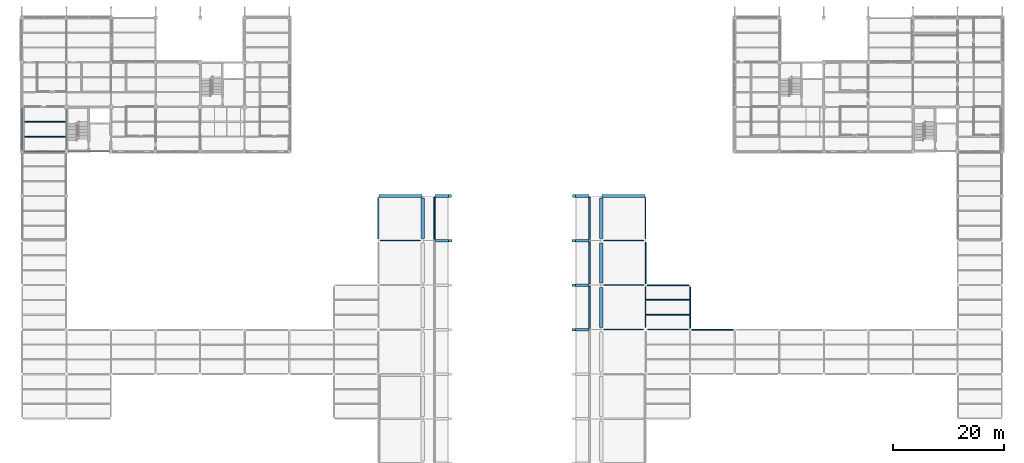
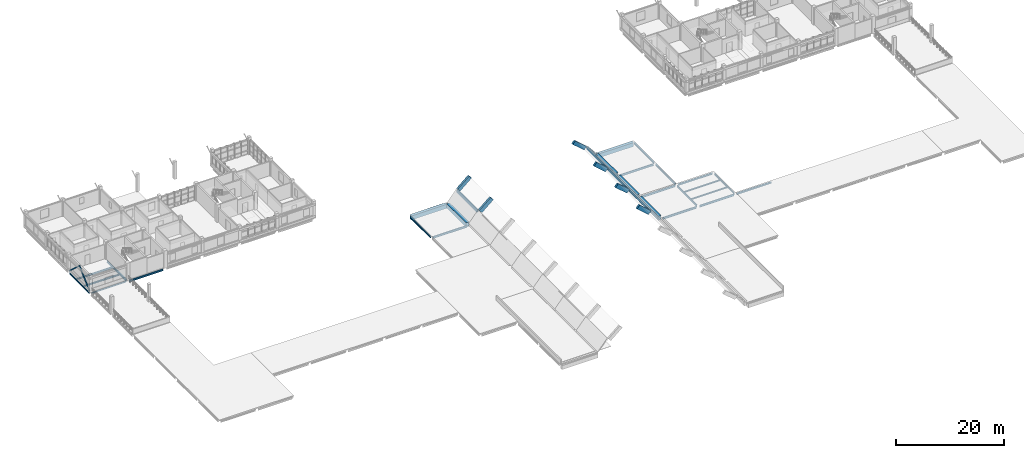
# One storey, part 3 of 35: 36 beams, 2 members.
"""IFC4 building model written with IfcOpenShell, lengths in metres."""

from ifc_helpers import new_model, si_unit, derived_unit, direction, frame, origin, origin_2d, place, context, subcontext, project, spatial, rectangle, hollow_rectangle, i_section, extrude, material, material_profile, profile_set, type_object, element, save


model = new_model("IFC4")

# Units and contexts
model_context = context("Model", 3, precision=1e-05, world=origin(), true_north=direction((0.0, 1.0)))
body_context = subcontext(model_context, "Body", "Model", "MODEL_VIEW")
ifc_project = project(units=[si_unit("LENGTHUNIT", "METRE"), si_unit("AREAUNIT", "SQUARE_METRE"), si_unit("VOLUMEUNIT", "CUBIC_METRE"), si_unit("PLANEANGLEUNIT", "RADIAN"), si_unit("MASSUNIT", "GRAM", prefix="KILO"), derived_unit("THERMALTRANSMITTANCEUNIT", [(si_unit("MASSUNIT", "GRAM", prefix="KILO"), 1), (si_unit("TIMEUNIT", "SECOND"), -3), (si_unit("THERMODYNAMICTEMPERATUREUNIT", "KELVIN"), -1)])], contexts=[model_context])

# Site, building, storey
site_placement = place(None, origin())
site = spatial("IfcSite", under=ifc_project, at=site_placement, CompositionType="ELEMENT")
building_placement = place(site_placement, origin())
building = spatial("IfcBuilding", under=site, at=building_placement, Name="Veyamyaing Civic Hall", CompositionType="ELEMENT")
storey_placement = place(building_placement, frame((0.0, 0.0, 21.780029296875)))
storey = spatial("IfcBuildingStorey", under=building, at=storey_placement, Name="L05", CompositionType="ELEMENT", Elevation=21.780029296875)

# Beams
ifc_material_1 = material(Name="Steel ASTM A992", Category="steel")
ifc_material_profile_1 = material_profile(ifc_material_1, i_section(OverallWidth=0.19189453125, OverallDepth=0.462890625, WebThickness=0.010498046875, FlangeThickness=0.017578125, FilletRadius=0.010009765625, at=origin_2d()), Name="W460X89")
ifc_profile_set_1 = profile_set([ifc_material_profile_1], Name="Steel ASTM A992")
beam_type_1 = type_object("IfcBeamType", Name="B-08", PredefinedType="BEAM", material=ifc_profile_set_1)
beam_1_placement = place(storey_placement, frame((104.39990234375, 56.0, -0.4814453125), z_axis=(1.0, 0.0, 0.0), x_axis=(0.0, 1.0, 0.0)))
element("IfcBeam", 1, at=beam_1_placement, inside=storey, type_object=beam_type_1, Name="Girder B-08 L05 Grid H 14-15", PredefinedType="BEAM", context=body_context, shape_type="SweptSolid", body=[
    extrude(i_section(OverallWidth=0.19189453125, OverallDepth=0.462890625, WebThickness=0.010498046875, FlangeThickness=0.017578125, FilletRadius=0.010009765625, at=origin_2d()), origin(), (0.0, 0.0, 1.0), 7.25),
])
beam_2_placement = place(storey_placement, frame((8.0, 88.35009765625, -0.45654296875), z_axis=(0.0, 1.0, 0.0), x_axis=(-1.0, 0.0, 0.0)))
element("IfcBeam", 2, at=beam_2_placement, inside=storey, type_object=beam_type_1, Name="Girder B-08 L05 Grid 2 M-N", PredefinedType="BEAM", context=body_context, shape_type="SweptSolid", body=[
    extrude(i_section(OverallWidth=0.19189453125, OverallDepth=0.462890625, WebThickness=0.010498046875, FlangeThickness=0.017578125, FilletRadius=0.010009765625, at=origin_2d()), origin(), (0.0, 0.0, 1.0), 7.2998046875),
])
beam_3_placement = place(storey_placement, frame((112.0, 56.35009765625, -0.4814453125), z_axis=(0.0, 1.0, 0.0), x_axis=(-1.0, 0.0, 0.0)))
element("IfcBeam", 3, at=beam_3_placement, inside=storey, type_object=beam_type_1, Name="Girder B-08 L05 Grid 15 H-J", PredefinedType="BEAM", context=body_context, shape_type="SweptSolid", body=[
    extrude(i_section(OverallWidth=0.19189453125, OverallDepth=0.462890625, WebThickness=0.010498046875, FlangeThickness=0.017578125, FilletRadius=0.010009765625, at=origin_2d()), origin(), (0.0, 0.0, 1.0), 7.375),
])
ifc_material_profile_2 = material_profile(ifc_material_1, i_section(OverallWidth=0.18994140625, OverallDepth=0.45703125, WebThickness=0.009033203125, FlangeThickness=0.014404296875, FilletRadius=0.010009765625, at=origin_2d()), Name="W460X74")
ifc_profile_set_2 = profile_set([ifc_material_profile_2], Name="Steel ASTM A992")
beam_type_2 = type_object("IfcBeamType", Name="B-09", PredefinedType="BEAM", material=ifc_profile_set_2)
beam_4_placement = place(storey_placement, frame((112.35009765625, 56.0, -0.478515625), z_axis=(1.0, 0.0, 0.0), x_axis=(0.0, 1.0, 0.0)))
element("IfcBeam", 4, at=beam_4_placement, inside=storey, type_object=beam_type_2, Name="Girder B-09 L05 Grid H 15-16", PredefinedType="BEAM", context=body_context, shape_type="SweptSolid", body=[
    extrude(i_section(OverallWidth=0.18994140625, OverallDepth=0.45703125, WebThickness=0.009033203125, FlangeThickness=0.014404296875, FilletRadius=0.010009765625, at=origin_2d()), origin(), (0.0, 0.0, 1.0), 7.375),
])
for number, where, z_axis, x_axis, name in (
    (5, (104.39990234375, 64.0, -0.478515625), (1.0, 0.0, 0.0), (0.0, 1.0, 0.0), "Girder B-09 L05 Grid J 14-15"),
    (6, (64.27490234375, 72.0, -0.478515625), (1.0, 0.0, 0.0), (0.0, 1.0, 0.0), "Girder B-09 L05 Grid K 9-10"),
):
    element("IfcBeam", number, at=place(storey_placement, frame(where, z_axis=z_axis, x_axis=x_axis)), inside=storey, type_object=beam_type_2, Name=name, PredefinedType="BEAM", context=body_context, shape_type="SweptSolid", body=[
        extrude(i_section(OverallWidth=0.18994140625, OverallDepth=0.45703125, WebThickness=0.009033203125, FlangeThickness=0.014404296875, FilletRadius=0.010009765625, at=origin_2d()), origin(), (0.0, 0.0, 1.0), 7.3251953125),
    ])
ifc_material_profile_3 = material_profile(ifc_material_1, i_section(OverallWidth=0.179931640625, OverallDepth=0.4130859375, WebThickness=0.009765625, FlangeThickness=0.01611328125, FilletRadius=0.010009765625, at=origin_2d()), Name="W410X74")
ifc_profile_set_3 = profile_set([ifc_material_profile_3], Name="Steel ASTM A992")
beam_type_3 = type_object("IfcBeamType", Name="B-10", PredefinedType="SPANDREL", material=ifc_profile_set_3)
for number, where, z_axis, x_axis, name in (
    (7, (120.27490234375, 56.0, -0.45654296875), (1.0, 0.0, 0.0), (0.0, 1.0, 0.0), "Girder B-10 L05 Grid H 16-17"),
    (8, (112.27490234375, 64.0, -0.45654296875), (1.0, 0.0, 0.0), (0.0, 1.0, 0.0), "Girder B-10 L05 Grid J 15-16"),
    (9, (112.0, 64.27490234375, -0.45654296875), (0.0, 1.0, 0.0), (-1.0, 0.0, 0.0), "Girder B-10 L05 Grid 15 J-K"),
    (10, (120.0, 56.27490234375, -0.45654296875), (0.0, 1.0, 0.0), (-1.0, 0.0, 0.0), "Girder B-10 L05 Grid 16 H-J"),
):
    element("IfcBeam", number, at=place(storey_placement, frame(where, z_axis=z_axis, x_axis=x_axis)), inside=storey, type_object=beam_type_3, Name=name, PredefinedType="SPANDREL", context=body_context, shape_type="SweptSolid", body=[
        extrude(i_section(OverallWidth=0.179931640625, OverallDepth=0.4130859375, WebThickness=0.009765625, FlangeThickness=0.01611328125, FilletRadius=0.010009765625, at=origin_2d()), origin(), (0.0, 0.0, 1.0), 7.4501953125),
    ])
ifc_material_profile_4 = material_profile(ifc_material_1, i_section(OverallWidth=0.2041015625, OverallDepth=0.35009765625, WebThickness=0.0078125, FlangeThickness=0.01513671875, FilletRadius=0.010009765625, at=origin_2d()), Name="W360X72")
ifc_profile_set_4 = profile_set([ifc_material_profile_4], Name="Steel ASTM A992")
beam_type_4 = type_object("IfcBeamType", Name="B-11", PredefinedType="SPANDREL", material=ifc_profile_set_4)
beam_5_placement = place(storey_placement, frame((0.0, 88.324951171875, -0.400146484375), z_axis=(0.0, 1.0, 0.0), x_axis=(-1.0, 0.0, 0.0)))
element("IfcBeam", 11, at=beam_5_placement, inside=storey, type_object=beam_type_4, Name="Girder B-11 L05 Grid 1 M-N", PredefinedType="SPANDREL", context=body_context, shape_type="SweptSolid", body=[
    extrude(i_section(OverallWidth=0.2041015625, OverallDepth=0.35009765625, WebThickness=0.0078125, FlangeThickness=0.01513671875, FilletRadius=0.010009765625, at=origin_2d()), origin(), (0.0, 0.0, 1.0), 7.35009765625),
])
beam_6_placement = place(storey_placement, frame((112.0, 72.27490234375, -0.425048828125), z_axis=(0.0, 1.0, 0.0), x_axis=(-1.0, 0.0, 0.0)))
element("IfcBeam", 12, at=beam_6_placement, inside=storey, type_object=beam_type_4, Name="Girder B-11 L05 Grid 15 K-L", PredefinedType="SPANDREL", context=body_context, shape_type="SweptSolid", body=[
    extrude(i_section(OverallWidth=0.2041015625, OverallDepth=0.35009765625, WebThickness=0.0078125, FlangeThickness=0.01513671875, FilletRadius=0.010009765625, at=origin_2d()), origin(), (0.0, 0.0, 1.0), 7.4501953125),
])
ifc_material_profile_5 = material_profile(ifc_material_1, i_section(OverallWidth=0.14599609375, OverallDepth=0.258056640625, WebThickness=0.006103515625, FlangeThickness=0.009033203125, FilletRadius=0.010009765625, at=origin_2d()), Name="W250X33")
ifc_profile_set_5 = profile_set([ifc_material_profile_5], Name="Steel ASTM A992")
beam_type_5 = type_object("IfcBeamType", Name="B-12", PredefinedType="BEAM", material=ifc_profile_set_5)
beam_7_placement = place(storey_placement, frame((0.324951171875, 88.0, -0.359130859375), z_axis=(1.0, 0.0, 0.0), x_axis=(0.0, 1.0, 0.0)))
element("IfcBeam", 13, at=beam_7_placement, inside=storey, type_object=beam_type_5, Name="Girder B-12 L05 Grid M 1-2", PredefinedType="BEAM", context=body_context, shape_type="SweptSolid", body=[
    extrude(i_section(OverallWidth=0.14599609375, OverallDepth=0.258056640625, WebThickness=0.006103515625, FlangeThickness=0.009033203125, FilletRadius=0.010009765625, at=origin_2d()), origin(), (0.0, 0.0, 1.0), 7.324951171875),
])
ifc_material_profile_6 = material_profile(ifc_material_1, i_section(OverallWidth=0.194091796875, OverallDepth=0.468994140625, WebThickness=0.0126953125, FlangeThickness=0.0205078125, FilletRadius=0.010009765625, at=origin_2d()), Name="W460X106")
ifc_profile_set_6 = profile_set([ifc_material_profile_6], Name="Steel ASTM A992")
beam_type_6 = type_object("IfcBeamType", Name="B-18", PredefinedType="BEAM", material=ifc_profile_set_6)
beam_8_placement = place(storey_placement, frame((104.39990234375, 72.0, -0.484619140625), z_axis=(1.0, 0.0, 0.0), x_axis=(0.0, 1.0, 0.0)))
element("IfcBeam", 14, at=beam_8_placement, inside=storey, type_object=beam_type_6, Name="Girder B-18 L05 Grid K 14-15", PredefinedType="BEAM", context=body_context, shape_type="SweptSolid", body=[
    extrude(i_section(OverallWidth=0.194091796875, OverallDepth=0.468994140625, WebThickness=0.0126953125, FlangeThickness=0.0205078125, FilletRadius=0.010009765625, at=origin_2d()), origin(), (0.0, 0.0, 1.0), 7.3251953125),
])
ifc_material_profile_7 = material_profile(ifc_material_1, i_section(OverallWidth=0.180908203125, OverallDepth=0.4169921875, WebThickness=0.010986328125, FlangeThickness=0.018310546875, FilletRadius=0.010009765625, at=origin_2d()), Name="W410X85")
ifc_profile_set_7 = profile_set([ifc_material_profile_7], Name="Steel ASTM A992")
beam_type_7 = type_object("IfcBeamType", Name="B-19", PredefinedType="SPANDREL", material=ifc_profile_set_7)
beam_9_placement = place(storey_placement, frame((8.35009765625, 88.0, -0.43359375), z_axis=(1.0, 0.0, 0.0), x_axis=(0.0, 1.0, 0.0)))
element("IfcBeam", 15, at=beam_9_placement, inside=storey, type_object=beam_type_7, Name="Girder B-19 L05 Grid M 2-3", PredefinedType="SPANDREL", context=body_context, shape_type="SweptSolid", body=[
    extrude(i_section(OverallWidth=0.180908203125, OverallDepth=0.4169921875, WebThickness=0.010986328125, FlangeThickness=0.018310546875, FilletRadius=0.010009765625, at=origin_2d()), origin(), (0.0, 0.0, 1.0), 7.2998046875),
])
ifc_material_profile_8 = material_profile(ifc_material_1, i_section(OverallWidth=0.25390625, OverallDepth=0.35302734375, WebThickness=0.009521484375, FlangeThickness=0.016357421875, FilletRadius=0.011962890625, at=origin_2d()), Name="W360X91")
ifc_profile_set_8 = profile_set([ifc_material_profile_8], Name="Steel ASTM A992")
beam_type_8 = type_object("IfcBeamType", Name="B-20", PredefinedType="SPANDREL", material=ifc_profile_set_8)
beam_10_placement = place(storey_placement, frame((64.0, 72.27490234375, -0.426513671875), z_axis=(0.0, 1.0, 0.0), x_axis=(-1.0, 0.0, 0.0)))
element("IfcBeam", 16, at=beam_10_placement, inside=storey, type_object=beam_type_8, Name="Girder B-20 L05 Grid 9 K-L", PredefinedType="SPANDREL", context=body_context, shape_type="SweptSolid", body=[
    extrude(i_section(OverallWidth=0.25390625, OverallDepth=0.35302734375, WebThickness=0.009521484375, FlangeThickness=0.016357421875, FilletRadius=0.011962890625, at=origin_2d()), origin(), (0.0, 0.0, 1.0), 7.4501953125),
])

# Members
ifc_material_2 = material(Name="Steel S355J2", Category="steel")
ifc_material_profile_9 = material_profile(ifc_material_2, hollow_rectangle(XDim=0.202880859375, YDim=0.202880859375, WallThickness=0.009521484375, at=origin_2d()), Name="HSS203X203X9.5")
ifc_profile_set_9 = profile_set([ifc_material_profile_9], Name="Steel S355J2")
member_type = type_object("IfcMemberType", Name="BR-03", PredefinedType="BRACE", material=ifc_profile_set_9)
for number, where, z_axis, x_axis, name in (
    (17, (0.0, 88.219970703125, 0.050048828125), (0.0, 0.737646368513, 0.675187259224), (-1.0, 0.0, 0.0), "Seismic chevron brace BR-03 BF-NW L05.L"),
    (18, (0.0, 95.780029296875, 0.050048828125), (0.0, -0.737646368513, 0.675187259224), (1.0, 0.0, 0.0), "Seismic chevron brace BR-03 BF-NW L05.R"),
):
    element("IfcMember", number, at=place(storey_placement, frame(where, z_axis=z_axis, x_axis=x_axis)), inside=storey, type_object=member_type, Name=name, PredefinedType="BRACE", context=body_context, shape_type="SweptSolid", body=[
        extrude(hollow_rectangle(XDim=0.202880859375, YDim=0.202880859375, WallThickness=0.009521484375, at=origin_2d()), origin(), (0.0, 0.0, 1.0), 5.12451171875),
    ])

# Beams
ifc_material_profile_10 = material_profile(ifc_material_1, i_section(OverallWidth=0.172119140625, OverallDepth=0.35791015625, WebThickness=0.0078125, FlangeThickness=0.01318359375, FilletRadius=0.010009765625, at=origin_2d()), Name="W360X57")
ifc_profile_set_10 = profile_set([ifc_material_profile_10], Name="Steel ASTM A992")
beam_type_9 = type_object("IfcBeamType", Name="J-02", PredefinedType="JOIST", material=ifc_profile_set_10)
for number, where, z_axis, x_axis, name in (
    (19, (0.10009765625, 90.666748046875, -0.404052734375), (1.0, 0.0, 0.0), (0.0, 1.0, 0.0), "Composite floor joist J-02 L05 1.12.1"),
    (20, (0.10009765625, 93.333251953125, -0.404052734375), (1.0, 0.0, 0.0), (0.0, 1.0, 0.0), "Composite floor joist J-02 L05 1.12.2"),
):
    element("IfcBeam", number, at=place(storey_placement, frame(where, z_axis=z_axis, x_axis=x_axis)), inside=storey, type_object=beam_type_9, Name=name, PredefinedType="JOIST", context=body_context, shape_type="SweptSolid", body=[
        extrude(i_section(OverallWidth=0.172119140625, OverallDepth=0.35791015625, WebThickness=0.0078125, FlangeThickness=0.01318359375, FilletRadius=0.010009765625, at=origin_2d()), origin(), (0.0, 0.0, 1.0), 7.805908203125),
    ])
ifc_material_profile_11 = material_profile(ifc_material_1, i_section(OverallWidth=0.1669921875, OverallDepth=0.318115234375, WebThickness=0.007568359375, FlangeThickness=0.01318359375, FilletRadius=0.010009765625, at=origin_2d()), Name="W310X52")
ifc_profile_set_11 = profile_set([ifc_material_profile_11], Name="Steel ASTM A992")
beam_type_10 = type_object("IfcBeamType", Name="J-04", PredefinedType="JOIST", material=ifc_profile_set_11)
for number, where, z_axis, x_axis, name in (
    (21, (112.093994140625, 58.666748046875, -0.408935546875), (1.0, 0.0, 0.0), (0.0, 1.0, 0.0), "Composite floor joist J-04 L05 15.8.1"),
    (22, (112.093994140625, 61.333251953125, -0.408935546875), (1.0, 0.0, 0.0), (0.0, 1.0, 0.0), "Composite floor joist J-04 L05 15.8.2"),
):
    element("IfcBeam", number, at=place(storey_placement, frame(where, z_axis=z_axis, x_axis=x_axis)), inside=storey, type_object=beam_type_10, Name=name, PredefinedType="JOIST", context=body_context, shape_type="SweptSolid", body=[
        extrude(i_section(OverallWidth=0.1669921875, OverallDepth=0.318115234375, WebThickness=0.007568359375, FlangeThickness=0.01318359375, FilletRadius=0.010009765625, at=origin_2d()), origin(), (0.0, 0.0, 1.0), 7.818115234375),
    ])
ifc_material_3 = material(Name="Concrete C40/50", Category="concrete")
ifc_material_profile_12 = material_profile(ifc_material_3, rectangle(XDim=0.64990234375, YDim=0.949951171875, at=origin_2d()), Name="RC-RING-650X950")
ifc_profile_set_12 = profile_set([ifc_material_profile_12], Name="Concrete C40/50")
beam_type_11 = type_object("IfcBeamType", Name="RB-01", PredefinedType="BEAM", material=ifc_profile_set_12)
for number, where, z_axis, x_axis, name in (
    (23, (72.0, 72.39990234375, -0.47509765625), (0.0, 1.0, 0.0), (-1.0, 0.0, 0.0), "Council Chamber Vault Springing Ring Beam RB-01 W.7"),
    (24, (104.0, 56.39990234375, -0.47509765625), (0.0, 1.0, 0.0), (-1.0, 0.0, 0.0), "Council Chamber Vault Springing Ring Beam RB-01 E.5"),
    (25, (104.0, 64.39990234375, -0.47509765625), (0.0, 1.0, 0.0), (-1.0, 0.0, 0.0), "Council Chamber Vault Springing Ring Beam RB-01 E.6"),
    (26, (104.0, 72.39990234375, -0.47509765625), (0.0, 1.0, 0.0), (-1.0, 0.0, 0.0), "Council Chamber Vault Springing Ring Beam RB-01 E.7"),
):
    element("IfcBeam", number, at=place(storey_placement, frame(where, z_axis=z_axis, x_axis=x_axis)), inside=storey, type_object=beam_type_11, Name=name, PredefinedType="BEAM", context=body_context, shape_type="SweptSolid", body=[
        extrude(rectangle(XDim=0.64990234375, YDim=0.949951171875, at=origin_2d()), origin(), (0.0, 0.0, 1.0), 7.2001953125),
    ])
ifc_material_profile_13 = material_profile(ifc_material_3, rectangle(XDim=0.60009765625, YDim=0.89990234375, at=origin_2d()), Name="RC-GABLE-600X900")
ifc_profile_set_13 = profile_set([ifc_material_profile_13], Name="Concrete C40/50")
beam_type_12 = type_object("IfcBeamType", Name="RB-02", PredefinedType="BEAM", material=ifc_profile_set_13)
for number, where, z_axis, x_axis, name in (
    (27, (64.14990234375, 80.0, -0.68505859375), (1.0, 0.0, 0.0), (0.0, 1.0, 0.0), "Vault buttress tie beam RB-02 10.8"),
    (28, (104.14990234375, 80.0, -0.68505859375), (1.0, 0.0, 0.0), (0.0, 1.0, 0.0), "Vault buttress tie beam RB-02 10.13"),
):
    element("IfcBeam", number, at=place(storey_placement, frame(where, z_axis=z_axis, x_axis=x_axis)), inside=storey, type_object=beam_type_12, Name=name, PredefinedType="BEAM", context=body_context, shape_type="SweptSolid", body=[
        extrude(rectangle(XDim=0.60009765625, YDim=0.89990234375, at=origin_2d()), origin(), (0.0, 0.0, 1.0), 7.7001953125),
    ])
ifc_material_profile_14 = material_profile(ifc_material_3, rectangle(XDim=0.300048828125, YDim=0.550048828125, at=origin_2d()), Name="RC-COFF-300X550")
ifc_profile_set_14 = profile_set([ifc_material_profile_14], Name="Concrete C40/50")
beam_type_13 = type_object("IfcBeamType", Name="VC-01", PredefinedType="BEAM", material=ifc_profile_set_14)
for number, where, z_axis, x_axis, name in (
    (29, (74.056640625, 72.22998046875, 1.984375), (0.0, 1.0, 0.0), (-1.0, 0.0, 0.0), "Council Chamber Vault Coffer Rib VC-01 S1.B7"),
    (30, (101.943359375, 56.22998046875, 1.984375), (0.0, 1.0, 0.0), (-1.0, 0.0, 0.0), "Council Chamber Vault Coffer Rib VC-01 S10.B5"),
    (31, (101.943359375, 64.22998046875, 1.984375), (0.0, 1.0, 0.0), (-1.0, 0.0, 0.0), "Council Chamber Vault Coffer Rib VC-01 S10.B6"),
    (32, (101.943359375, 72.22998046875, 1.984375), (0.0, 1.0, 0.0), (-1.0, 0.0, 0.0), "Council Chamber Vault Coffer Rib VC-01 S10.B7"),
):
    element("IfcBeam", number, at=place(storey_placement, frame(where, z_axis=z_axis, x_axis=x_axis)), inside=storey, type_object=beam_type_13, Name=name, PredefinedType="BEAM", context=body_context, shape_type="SweptSolid", body=[
        extrude(rectangle(XDim=0.300048828125, YDim=0.550048828125, at=origin_2d()), origin(), (0.0, 0.0, 1.0), 7.5400390625),
    ])
ifc_material_profile_15 = material_profile(ifc_material_3, rectangle(XDim=0.449951171875, YDim=0.89990234375, at=origin_2d()), Name="RC-ARCH-450X900")
ifc_profile_set_15 = profile_set([ifc_material_profile_15], Name="Concrete C40/50")
beam_type_14 = type_object("IfcBeamType", Name="VR-01", PredefinedType="BEAM", material=ifc_profile_set_15)
for number, where, z_axis, x_axis, name in (
    (33, (99.07470703125, 56.0, 4.07177734375), (0.759722503188, 0.0, -0.650247428407), (0.0, 1.0, 0.0), "Council Chamber Vault Arch Rib VR-01 R5.F10"),
    (34, (99.07470703125, 64.0, 4.07177734375), (0.759722503188, 0.0, -0.650247428407), (0.0, 1.0, 0.0), "Council Chamber Vault Arch Rib VR-01 R6.F10"),
    (35, (74.453369140625, 72.0, 1.9560546875), (0.759722503188, 0.0, 0.650247428407), (0.0, 1.0, 0.0), "Council Chamber Vault Arch Rib VR-01 R7.F2"),
    (36, (99.07470703125, 72.0, 4.07177734375), (0.759722503188, 0.0, -0.650247428407), (0.0, 1.0, 0.0), "Council Chamber Vault Arch Rib VR-01 R7.F10"),
):
    element("IfcBeam", number, at=place(storey_placement, frame(where, z_axis=z_axis, x_axis=x_axis)), inside=storey, type_object=beam_type_14, Name=name, PredefinedType="BEAM", context=body_context, shape_type="SweptSolid", body=[
        extrude(rectangle(XDim=0.449951171875, YDim=0.89990234375, at=origin_2d()), origin(), (0.0, 0.0, 1.0), 3.253662109375),
    ])
ifc_material_profile_16 = material_profile(ifc_material_3, rectangle(XDim=0.449951171875, YDim=0.800048828125, at=origin_2d()), Name="RC-ARCH-450X800")
ifc_profile_set_16 = profile_set([ifc_material_profile_16], Name="Concrete C40/50")
beam_type_15 = type_object("IfcBeamType", Name="VR-02", PredefinedType="BEAM", material=ifc_profile_set_16)
for number, where, z_axis, x_axis, name in (
    (37, (74.4208984375, 80.0, 1.993896484375), (0.759653704705, 0.0, 0.650327801134), (0.0, 1.0, 0.0), "Council Chamber Vault Arch Rib VR-02 R8.F2"),
    (38, (99.107421875, 80.0, 4.10986328125), (0.759653704705, 0.0, -0.650327801134), (0.0, 1.0, 0.0), "Council Chamber Vault Arch Rib VR-02 R8.F10"),
):
    element("IfcBeam", number, at=place(storey_placement, frame(where, z_axis=z_axis, x_axis=x_axis)), inside=storey, type_object=beam_type_15, Name=name, PredefinedType="BEAM", context=body_context, shape_type="SweptSolid", body=[
        extrude(rectangle(XDim=0.449951171875, YDim=0.800048828125, at=origin_2d()), origin(), (0.0, 0.0, 1.0), 3.253662109375),
    ])

save(model, "model.ifc")
